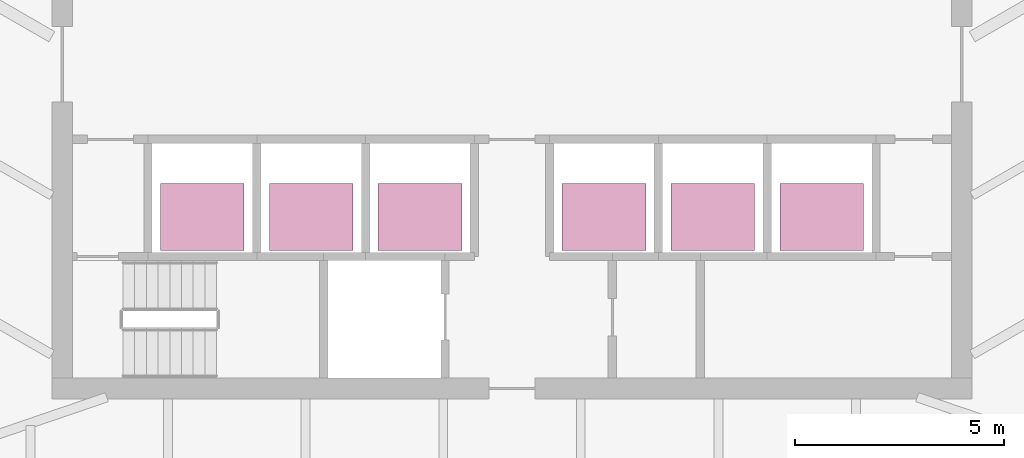
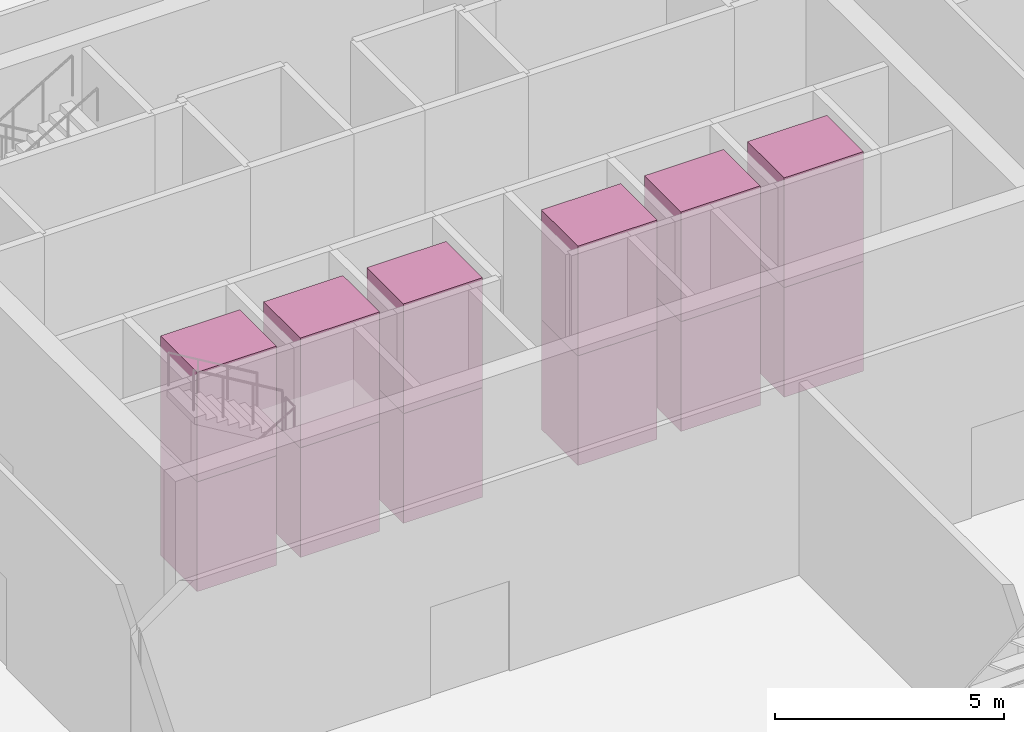
# One storey, part 15 of 15: 12 transport elements.
"""IFC4 building model written with IfcOpenShell, lengths in metres."""

from ifc_helpers import new_model, si_unit, direction, frame, origin, origin_2d, place, context, subcontext, project, spatial, rectangle, extrude, material, type_object, element, save


model = new_model("IFC4")

# Units and contexts
model_context = context("Model", 3, precision=1e-05, world=origin(), true_north=direction((0.0, 1.0)))
body_context = subcontext(model_context, "Body", "Model", "MODEL_VIEW")
ifc_project = project(units=[si_unit("LENGTHUNIT", "METRE"), si_unit("AREAUNIT", "SQUARE_METRE"), si_unit("VOLUMEUNIT", "CUBIC_METRE"), si_unit("PLANEANGLEUNIT", "RADIAN"), si_unit("MASSUNIT", "GRAM", prefix="KILO")], contexts=[model_context])

# Site, building, storey
site_placement = place(None, origin())
site = spatial("IfcSite", under=ifc_project, at=site_placement, CompositionType="ELEMENT")
building_placement = place(site_placement, origin())
building = spatial("IfcBuilding", under=site, at=building_placement, Name="Sierra Prisma Convention Tower", CompositionType="ELEMENT")
storey_placement = place(building_placement, frame((0.0, 0.0, 324.39990234375)))
storey = spatial("IfcBuildingStorey", under=building, at=storey_placement, Name="L74", CompositionType="ELEMENT", Elevation=324.39990234375)

# Transport elements
ifc_material = material(Name="Stainless steel", Category="steel")
transport_element_type = type_object("IfcTransportElementType", Name="Lift car office high 2000x1600 1600 kg", PredefinedType="ELEVATOR", material=ifc_material)
for number, where, z_axis, x_axis, name in (
    (1, (-7.39990234375, -3.64990234375, 0.0), (0.0, 0.0, 1.0), (1.0, 0.0, 0.0), "Lift OH1"),
    (2, (-7.39990234375, -3.64990234375, 2.92529296875), (0.0, 0.0, 1.0), (1.0, 0.0, 0.0), "Lift OH1"),
    (3, (-4.800048828125, -3.64990234375, 0.0), (0.0, 0.0, 1.0), (1.0, 0.0, 0.0), "Lift OH2"),
    (4, (-4.800048828125, -3.64990234375, 2.92529296875), (0.0, 0.0, 1.0), (1.0, 0.0, 0.0), "Lift OH2"),
    (5, (-2.199951171875, -3.64990234375, 0.0), (0.0, 0.0, 1.0), (1.0, 0.0, 0.0), "Lift OH3"),
    (6, (-2.199951171875, -3.64990234375, 2.92529296875), (0.0, 0.0, 1.0), (1.0, 0.0, 0.0), "Lift OH3"),
    (7, (2.199951171875, -3.64990234375, 0.0), (0.0, 0.0, 1.0), (1.0, 0.0, 0.0), "Lift OH4"),
    (8, (2.199951171875, -3.64990234375, 2.92529296875), (0.0, 0.0, 1.0), (1.0, 0.0, 0.0), "Lift OH4"),
    (9, (4.800048828125, -3.64990234375, 0.0), (0.0, 0.0, 1.0), (1.0, 0.0, 0.0), "Lift OH5"),
    (10, (4.800048828125, -3.64990234375, 2.92529296875), (0.0, 0.0, 1.0), (1.0, 0.0, 0.0), "Lift OH5"),
    (11, (7.39990234375, -3.64990234375, 0.0), (0.0, 0.0, 1.0), (1.0, 0.0, 0.0), "Lift OH6"),
    (12, (7.39990234375, -3.64990234375, 2.92529296875), (0.0, 0.0, 1.0), (1.0, 0.0, 0.0), "Lift OH6"),
):
    element("IfcTransportElement", number, at=place(storey_placement, frame(where, z_axis=z_axis, x_axis=x_axis)), inside=storey, type_object=transport_element_type, Name=name, PredefinedType="ELEVATOR", context=body_context, shape_type="SweptSolid", body=[
        extrude(rectangle(XDim=2.0, YDim=1.60009765625, at=origin_2d()), origin(), (0.0, 0.0, 1.0), 2.925048828125),
    ])

save(model, "model.ifc")
